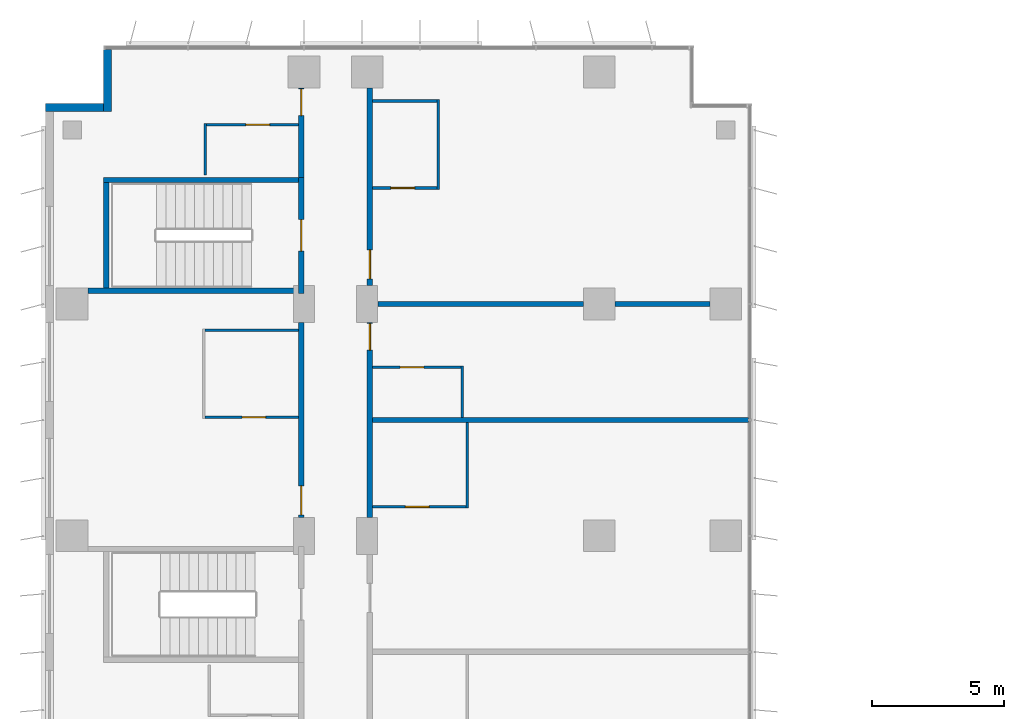
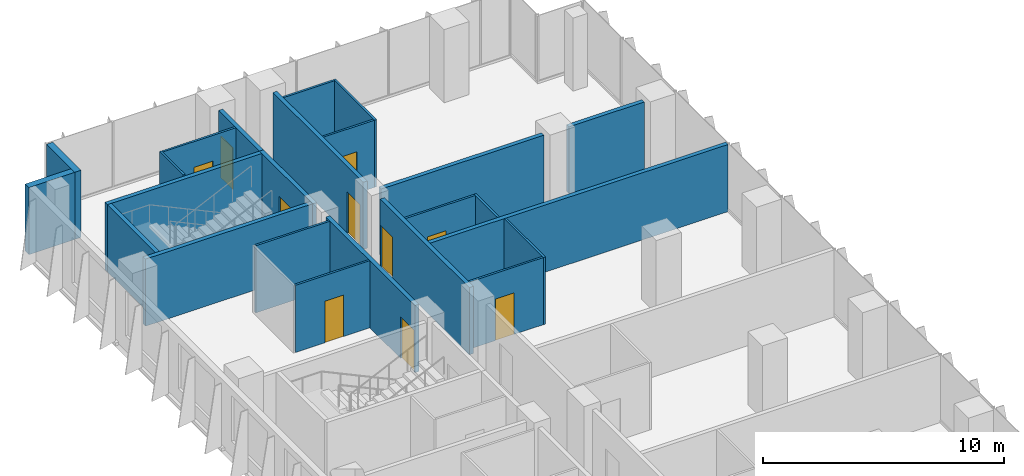
# One storey, part 21 of 27: 24 walls, 10 doors, 10 openings.
"""IFC4 building model written with IfcOpenShell, lengths in metres."""

from ifc_helpers import new_model, si_unit, direction, frame, frame_2d, origin, place, context, subcontext, project, spatial, rectangle, extrude, material, layer, layer_set, type_object, element, fill, save


model = new_model("IFC4")

# Units and contexts
model_context = context("Model", 3, precision=1e-05, world=origin(), true_north=direction((0.0, 1.0)))
body_context = subcontext(model_context, "Body", "Model", "MODEL_VIEW")
ifc_project = project(units=[si_unit("LENGTHUNIT", "METRE"), si_unit("AREAUNIT", "SQUARE_METRE"), si_unit("VOLUMEUNIT", "CUBIC_METRE"), si_unit("PLANEANGLEUNIT", "RADIAN"), si_unit("MASSUNIT", "GRAM", prefix="KILO")], contexts=[model_context])

# Site, building, storey
site_placement = place(None, origin())
site = spatial("IfcSite", under=ifc_project, at=site_placement, CompositionType="ELEMENT")
building_placement = place(site_placement, origin())
building = spatial("IfcBuilding", under=site, at=building_placement, Name="Kemantara Hotel Tower", CompositionType="ELEMENT")
storey_placement = place(building_placement, frame((0.0, 0.0, 83.39990234375)))
storey = spatial("IfcBuildingStorey", under=building, at=storey_placement, Name="L19", CompositionType="ELEMENT", Elevation=83.39990234375)

# Walls
ifc_material_1 = material(Name="Bronze anodised aluminium cladding on insulated steel stud wall", Category="steel")
ifc_layer_1 = layer(ifc_material_1, 0.300048828125)
ifc_layer_set_1 = layer_set([ifc_layer_1], Name="Bronze anodised aluminium cladding on insulated steel stud wall")
wall_type_1 = type_object("IfcWallType", Name="BRONZE METAL-CLAD EXTERNAL WALL 300", PredefinedType="STANDARD", material=ifc_layer_set_1)
wall_1_placement = place(storey_placement, frame((2.35009765625, 81.050048828125, 0.0), z_axis=(0.0, 0.0, 1.0), x_axis=(0.0, -1.0, 0.0)))
element("IfcWall", 1, at=wall_1_placement, inside=storey, type_object=wall_type_1, Name="EXTERNAL WALL L19 T2-R02", PredefinedType="STANDARD", context=body_context, shape_type="SweptSolid", body=[
    extrude(rectangle(XDim=2.35009765625, YDim=0.300048828125, at=frame_2d((1.175048828125, 0.0))), origin(), (0.0, 0.0, 1.0), 3.400146484375),
])
wall_2_placement = place(storey_placement, frame((2.199951171875, 78.85009765625, 0.0), z_axis=(0.0, 0.0, 1.0), x_axis=(-1.0, 0.0, 0.0)))
element("IfcWall", 2, at=wall_2_placement, inside=storey, type_object=wall_type_1, Name="EXTERNAL WALL L19 T2-R03", PredefinedType="STANDARD", context=body_context, shape_type="SweptSolid", body=[
    extrude(rectangle(XDim=2.199951171875, YDim=0.300048828125, at=frame_2d((1.10009765625, 0.0))), origin(), (0.0, 0.0, 1.0), 3.400146484375),
])

# Wall, opening, door
ifc_material_2 = material(Name="Gypsum board partition, steel studs and mineral wool, 200 mm", Category="steel")
ifc_layer_2 = layer(ifc_material_2, 0.199951171875)
ifc_layer_set_2 = layer_set([ifc_layer_2], Name="Gypsum board partition, steel studs and mineral wool, 200 mm")
wall_type_2 = type_object("IfcWallType", Name="CORRIDOR WALL 200", PredefinedType="PARTITIONING", material=ifc_layer_set_2)
wall_3_placement = place(storey_placement, frame((9.699951171875, 63.300048828125, 0.0), z_axis=(0.0, 0.0, 1.0), x_axis=(0.0, 1.0, 0.0)))
wall_3 = element("IfcWall", 3, at=wall_3_placement, inside=storey, type_object=wall_type_2, Name="CORRIDOR WALL 200 021", PredefinedType="PARTITIONING", context=body_context, shape_type="SweptSolid", body=[
    extrude(rectangle(XDim=7.39990234375, YDim=0.199951171875, at=frame_2d((3.699951171875, 0.0))), origin(), (0.0, 0.0, 1.0), 3.400146484375),
])
opening_1_placement = place(wall_3_placement, frame((0.099853515625, 0.0, 0.0)))
opening_1 = element("IfcOpeningElement", 4, at=opening_1_placement, cuts=wall_3, Name="Opening F07-029", PredefinedType="OPENING", context=body_context, shape_type="SweptSolid", body=[
    extrude(rectangle(XDim=1.10009765625, YDim=2.10009765625, at=frame_2d((0.550048828125, 1.050048828125))), frame((0.0, 0.10986328125, 0.0), z_axis=(0.0, -1.0, 0.0), x_axis=(1.0, 0.0, 0.0)), (0.0, 0.0, 1.0), 0.219970703125),
])
ifc_material_3 = material(Name="Hardwood veneer door leaf with steel frame", Category="steel")
door_type_1 = type_object("IfcDoorType", Name="SUITE ENTRANCE DOOR 1100 X 2100 FD30S", OperationType="NOTDEFINED", PredefinedType="DOOR", material=ifc_material_3)
door_1_placement = place(opening_1_placement, origin())
door_1 = element("IfcDoor", 5, at=door_1_placement, inside=storey, type_object=door_type_1, Name="SUITE ENTRANCE DOOR F07-029", OperationType="SINGLE_SWING_LEFT", OverallHeight=2.10009765625, OverallWidth=1.10009765625, PredefinedType="DOOR", context=body_context, shape_type="SweptSolid", body=[
    extrude(rectangle(XDim=1.10009765625, YDim=2.10009765625, at=frame_2d((0.550048828125, 1.050048828125))), frame((0.0, 0.02490234375, 0.0), z_axis=(0.0, -1.0, 0.0), x_axis=(1.0, 0.0, 0.0)), (0.0, 0.0, 1.0), 0.050048828125),
])
fill(opening_1, door_1)

wall_4_placement = place(storey_placement, frame((9.699951171875, 76.199951171875, 0.0), z_axis=(0.0, 0.0, 1.0), x_axis=(0.0, 1.0, 0.0)))
wall_4 = element("IfcWall", 6, at=wall_4_placement, inside=storey, type_object=wall_type_2, Name="CORRIDOR WALL 200 022", PredefinedType="PARTITIONING", context=body_context, shape_type="SweptSolid", body=[
    extrude(rectangle(XDim=3.39990234375, YDim=0.199951171875, at=frame_2d((1.699951171875, 0.0))), origin(), (0.0, 0.0, 1.0), 3.400146484375),
])
opening_2_placement = place(wall_4_placement, frame((2.35009765625, 0.0, 0.0)))
opening_2 = element("IfcOpeningElement", 7, at=opening_2_placement, cuts=wall_4, Name="Opening F07-031", PredefinedType="OPENING", context=body_context, shape_type="SweptSolid", body=[
    extrude(rectangle(XDim=1.0, YDim=2.10009765625, at=frame_2d((0.5, 1.050048828125))), frame((0.0, 0.10986328125, 0.0), z_axis=(0.0, -1.0, 0.0), x_axis=(1.0, 0.0, 0.0)), (0.0, 0.0, 1.0), 0.219970703125),
])
door_type_2 = type_object("IfcDoorType", Name="GUEST ROOM DOOR 1000 X 2100 FD30S", OperationType="NOTDEFINED", PredefinedType="DOOR", material=ifc_material_3)
door_2_placement = place(opening_2_placement, origin())
door_2 = element("IfcDoor", 8, at=door_2_placement, inside=storey, type_object=door_type_2, Name="GUEST ROOM DOOR F07-031", OperationType="SINGLE_SWING_RIGHT", OverallHeight=2.10009765625, OverallWidth=1.0, PredefinedType="DOOR", context=body_context, shape_type="SweptSolid", body=[
    extrude(rectangle(XDim=1.0, YDim=2.10009765625, at=frame_2d((0.5, 1.050048828125))), frame((0.0, 0.02490234375, 0.0), z_axis=(0.0, -1.0, 0.0), x_axis=(1.0, 0.0, 0.0)), (0.0, 0.0, 1.0), 0.050048828125),
])
fill(opening_2, door_2)

wall_5_placement = place(storey_placement, frame((12.300048828125, 70.699951171875, 0.0), z_axis=(0.0, 0.0, 1.0), x_axis=(0.0, -1.0, 0.0)))
wall_5 = element("IfcWall", 9, at=wall_5_placement, inside=storey, type_object=wall_type_2, Name="CORRIDOR WALL 200 036", PredefinedType="PARTITIONING", context=body_context, shape_type="SweptSolid", body=[
    extrude(rectangle(XDim=7.39990234375, YDim=0.199951171875, at=frame_2d((3.699951171875, 0.0))), origin(), (0.0, 0.0, 1.0), 3.400146484375),
])
opening_3_placement = place(wall_5_placement, frame((0.0498046875, 0.0, 0.0)))
opening_3 = element("IfcOpeningElement", 10, at=opening_3_placement, cuts=wall_5, Name="Opening F07-043", PredefinedType="OPENING", context=body_context, shape_type="SweptSolid", body=[
    extrude(rectangle(XDim=1.0, YDim=2.10009765625, at=frame_2d((0.5, 1.050048828125))), frame((0.0, 0.10986328125, 0.0), z_axis=(0.0, -1.0, 0.0), x_axis=(1.0, 0.0, 0.0)), (0.0, 0.0, 1.0), 0.219970703125),
])
door_3_placement = place(opening_3_placement, origin())
door_3 = element("IfcDoor", 11, at=door_3_placement, inside=storey, type_object=door_type_2, Name="GUEST ROOM DOOR F07-043", OperationType="SINGLE_SWING_LEFT", OverallHeight=2.10009765625, OverallWidth=1.0, PredefinedType="DOOR", context=body_context, shape_type="SweptSolid", body=[
    extrude(rectangle(XDim=1.0, YDim=2.10009765625, at=frame_2d((0.5, 1.050048828125))), frame((0.0, 0.02490234375, 0.0), z_axis=(0.0, -1.0, 0.0), x_axis=(1.0, 0.0, 0.0)), (0.0, 0.0, 1.0), 0.050048828125),
])
fill(opening_3, door_3)

wall_6_placement = place(storey_placement, frame((12.300048828125, 79.599853515625, 0.0), z_axis=(0.0, 0.0, 1.0), x_axis=(0.0, -1.0, 0.0)))
wall_6 = element("IfcWall", 12, at=wall_6_placement, inside=storey, type_object=wall_type_2, Name="CORRIDOR WALL 200 037", PredefinedType="PARTITIONING", context=body_context, shape_type="SweptSolid", body=[
    extrude(rectangle(XDim=7.499755859375, YDim=0.199951171875, at=frame_2d((3.75, 0.0))), origin(), (0.0, 0.0, 1.0), 3.400146484375),
])
opening_4_placement = place(wall_6_placement, frame((6.14990234375, 0.0, 0.0)))
opening_4 = element("IfcOpeningElement", 13, at=opening_4_placement, cuts=wall_6, Name="Opening F07-045", PredefinedType="OPENING", context=body_context, shape_type="SweptSolid", body=[
    extrude(rectangle(XDim=1.10009765625, YDim=2.10009765625, at=frame_2d((0.550048828125, 1.050048828125))), frame((0.0, 0.10986328125, 0.0), z_axis=(0.0, -1.0, 0.0), x_axis=(1.0, 0.0, 0.0)), (0.0, 0.0, 1.0), 0.219970703125),
])
door_4_placement = place(opening_4_placement, origin())
door_4 = element("IfcDoor", 14, at=door_4_placement, inside=storey, type_object=door_type_1, Name="SUITE ENTRANCE DOOR F07-045", OperationType="SINGLE_SWING_RIGHT", OverallHeight=2.10009765625, OverallWidth=1.10009765625, PredefinedType="DOOR", context=body_context, shape_type="SweptSolid", body=[
    extrude(rectangle(XDim=1.10009765625, YDim=2.10009765625, at=frame_2d((0.550048828125, 1.050048828125))), frame((0.0, 0.02490234375, 0.0), z_axis=(0.0, -1.0, 0.0), x_axis=(1.0, 0.0, 0.0)), (0.0, 0.0, 1.0), 0.050048828125),
])
fill(opening_4, door_4)

ifc_material_4 = material(Name="Concrete fc 40 MPa", Category="concrete")
ifc_layer_3 = layer(ifc_material_4, 0.199951171875)
ifc_layer_set_3 = layer_set([ifc_layer_3], Name="Concrete fc 40 MPa")
wall_type_3 = type_object("IfcWallType", Name="Concrete stair wall 200 mm", PredefinedType="SHEAR", material=ifc_layer_set_3)
wall_7_placement = place(storey_placement, frame((9.699951171875, 71.800048828125, 0.0), z_axis=(0.0, 0.0, 1.0), x_axis=(0.0, 1.0, 0.0)))
wall_7 = element("IfcWall", 15, at=wall_7_placement, inside=storey, type_object=wall_type_3, Name="Stair ST6 enclosure wall with door", PredefinedType="SHEAR", context=body_context, shape_type="SweptSolid", body=[
    extrude(rectangle(XDim=4.39990234375, YDim=0.199951171875, at=frame_2d((2.199951171875, 0.0))), origin(), (0.0, 0.0, 1.0), 3.400146484375),
])
opening_5_placement = place(wall_7_placement, frame((1.60009765625, 0.0, 0.0)))
opening_5 = element("IfcOpeningElement", 16, at=opening_5_placement, cuts=wall_7, Name="Opening ST6-C", PredefinedType="OPENING", context=body_context, shape_type="SweptSolid", body=[
    extrude(rectangle(XDim=1.199951171875, YDim=2.10009765625, at=frame_2d((0.60009765625, 1.050048828125))), frame((0.0, 0.10986328125, 0.0), z_axis=(0.0, -1.0, 0.0), x_axis=(1.0, 0.0, 0.0)), (0.0, 0.0, 1.0), 0.219970703125),
])
ifc_material_5 = material(Name="Steel fire door", Category="steel")
door_type_3 = type_object("IfcDoorType", Name="Fire door FD90 1200 x 2100", OperationType="NOTDEFINED", PredefinedType="DOOR", material=ifc_material_5)
door_5_placement = place(opening_5_placement, origin())
door_5 = element("IfcDoor", 17, at=door_5_placement, inside=storey, type_object=door_type_3, Name="Stair ST6 door", OperationType="SINGLE_SWING_RIGHT", OverallHeight=2.10009765625, OverallWidth=1.199951171875, PredefinedType="DOOR", context=body_context, shape_type="SweptSolid", body=[
    extrude(rectangle(XDim=1.199951171875, YDim=2.10009765625, at=frame_2d((0.60009765625, 1.050048828125))), frame((0.0, 0.02490234375, 0.0), z_axis=(0.0, -1.0, 0.0), x_axis=(1.0, 0.0, 0.0)), (0.0, 0.0, 1.0), 0.050048828125),
])
fill(opening_5, door_5)

# Walls
wall_8_placement = place(storey_placement, frame((2.199951171875, 76.10009765625, 0.0), z_axis=(0.0, 0.0, 1.0), x_axis=(1.0, 0.0, 0.0)))
element("IfcWall", 18, at=wall_8_placement, inside=storey, type_object=wall_type_3, Name="Stair ST6 enclosure wall N", PredefinedType="SHEAR", context=body_context, shape_type="SweptSolid", body=[
    extrude(rectangle(XDim=7.400146484375, YDim=0.199951171875, at=frame_2d((3.7001953125, 0.0))), origin(), (0.0, 0.0, 1.0), 3.400146484375),
])
wall_9_placement = place(storey_placement, frame((1.60009765625, 71.89990234375, 0.0), z_axis=(0.0, 0.0, 1.0), x_axis=(1.0, 0.0, 0.0)))
element("IfcWall", 19, at=wall_9_placement, inside=storey, type_object=wall_type_3, Name="Stair ST6 enclosure wall S", PredefinedType="SHEAR", context=body_context, shape_type="SweptSolid", body=[
    extrude(rectangle(XDim=8.0, YDim=0.199951171875, at=frame_2d((4.0, 0.0))), origin(), (0.0, 0.0, 1.0), 3.400146484375),
])
wall_10_placement = place(storey_placement, frame((2.300048828125, 72.0, 0.0), z_axis=(0.0, 0.0, 1.0), x_axis=(0.0, 1.0, 0.0)))
element("IfcWall", 20, at=wall_10_placement, inside=storey, type_object=wall_type_3, Name="Stair ST6 enclosure wall W", PredefinedType="SHEAR", context=body_context, shape_type="SweptSolid", body=[
    extrude(rectangle(XDim=4.0, YDim=0.199951171875, at=frame_2d((2.0, 0.0))), origin(), (0.0, 0.0, 1.0), 3.400146484375),
])
ifc_layer_4 = layer(ifc_material_2, 0.199951171875)
ifc_layer_set_4 = layer_set([ifc_layer_4], Name="Gypsum board partition, steel studs and mineral wool, 200 mm")
wall_type_4 = type_object("IfcWallType", Name="GUEST ROOM PARTY WALL 200", PredefinedType="PARTITIONING", material=ifc_layer_set_4)
wall_11_placement = place(storey_placement, frame((12.39990234375, 67.0, 0.0), z_axis=(0.0, 0.0, 1.0), x_axis=(1.0, 0.0, 0.0)))
element("IfcWall", 21, at=wall_11_placement, inside=storey, type_object=wall_type_4, Name="GUEST ROOM PARTY WALL 200 042", PredefinedType="PARTITIONING", context=body_context, shape_type="SweptSolid", body=[
    extrude(rectangle(XDim=14.27001953125, YDim=0.199951171875, at=frame_2d((7.135009765625, 0.0))), origin(), (0.0, 0.0, 1.0), 3.400146484375),
])
wall_12_placement = place(storey_placement, frame((12.60009765625, 71.39990234375, 0.0), z_axis=(0.0, 0.0, 1.0), x_axis=(1.0, 0.0, 0.0)))
element("IfcWall", 22, at=wall_12_placement, inside=storey, type_object=wall_type_4, Name="GUEST ROOM PARTY WALL 200 043", PredefinedType="PARTITIONING", context=body_context, shape_type="SweptSolid", body=[
    extrude(rectangle(XDim=7.7998046875, YDim=0.199951171875, at=frame_2d((3.89990234375, 0.0))), origin(), (0.0, 0.0, 1.0), 3.400146484375),
])
wall_13_placement = place(storey_placement, frame((21.60009765625, 71.39990234375, 0.0), z_axis=(0.0, 0.0, 1.0), x_axis=(1.0, 0.0, 0.0)))
element("IfcWall", 23, at=wall_13_placement, inside=storey, type_object=wall_type_4, Name="GUEST ROOM PARTY WALL 200 044", PredefinedType="PARTITIONING", context=body_context, shape_type="SweptSolid", body=[
    extrude(rectangle(XDim=3.599853515625, YDim=0.199951171875, at=frame_2d((1.7998046875, 0.0))), origin(), (0.0, 0.0, 1.0), 3.400146484375),
])
ifc_material_6 = material(Name="Gypsum board partition on steel studs, 100 mm", Category="steel")
ifc_layer_5 = layer(ifc_material_6, 0.10009765625)
ifc_layer_set_5 = layer_set([ifc_layer_5], Name="Gypsum board partition on steel studs, 100 mm")
wall_type_5 = type_object("IfcWallType", Name="ROOM PARTITION 100", PredefinedType="PARTITIONING", material=ifc_layer_set_5)
wall_14_placement = place(storey_placement, frame((6.050048828125, 76.300048828125, 0.0), z_axis=(0.0, 0.0, 1.0), x_axis=(0.0, 1.0, 0.0)))
element("IfcWall", 24, at=wall_14_placement, inside=storey, type_object=wall_type_5, Name="ROOM PARTITION 100 061", PredefinedType="PARTITIONING", context=body_context, shape_type="SweptSolid", body=[
    extrude(rectangle(XDim=1.949951171875, YDim=0.10009765625, at=frame_2d((0.97509765625, 0.0))), origin(), (0.0, 0.0, 1.0), 3.400146484375),
])

# Wall, opening, door
wall_15_placement = place(storey_placement, frame((6.050048828125, 67.10009765625, 0.0), z_axis=(0.0, 0.0, 1.0), x_axis=(1.0, 0.0, 0.0)))
wall_15 = element("IfcWall", 25, at=wall_15_placement, inside=storey, type_object=wall_type_5, Name="ROOM PARTITION 100 080", PredefinedType="PARTITIONING", context=body_context, shape_type="SweptSolid", body=[
    extrude(rectangle(XDim=3.550048828125, YDim=0.10009765625, at=frame_2d((1.77490234375, 0.0))), origin(), (0.0, 0.0, 1.0), 3.400146484375),
])
opening_6_placement = place(wall_15_placement, frame((1.39990234375, 0.0, 0.0)))
opening_6 = element("IfcOpeningElement", 26, at=opening_6_placement, cuts=wall_15, Name="Opening F07-030", PredefinedType="OPENING", context=body_context, shape_type="SweptSolid", body=[
    extrude(rectangle(XDim=0.89990234375, YDim=2.10009765625, at=frame_2d((0.449951171875, 1.050048828125))), frame((0.0, 0.06005859375, 0.0), z_axis=(0.0, -1.0, 0.0), x_axis=(1.0, 0.0, 0.0)), (0.0, 0.0, 1.0), 0.1201171875),
])
door_type_4 = type_object("IfcDoorType", Name="BATHROOM DOOR 900 X 2100", OperationType="NOTDEFINED", PredefinedType="DOOR", material=ifc_material_3)
door_6_placement = place(opening_6_placement, origin())
door_6 = element("IfcDoor", 27, at=door_6_placement, inside=storey, type_object=door_type_4, Name="BATHROOM DOOR F07-030", OperationType="SINGLE_SWING_RIGHT", OverallHeight=2.10009765625, OverallWidth=0.89990234375, PredefinedType="DOOR", context=body_context, shape_type="SweptSolid", body=[
    extrude(rectangle(XDim=0.89990234375, YDim=2.10009765625, at=frame_2d((0.449951171875, 1.050048828125))), frame((0.0, 0.02490234375, 0.0), z_axis=(0.0, -1.0, 0.0), x_axis=(1.0, 0.0, 0.0)), (0.0, 0.0, 1.0), 0.050048828125),
])
fill(opening_6, door_6)

# Wall
wall_16_placement = place(storey_placement, frame((6.050048828125, 70.39990234375, 0.0), z_axis=(0.0, 0.0, 1.0), x_axis=(1.0, 0.0, 0.0)))
element("IfcWall", 28, at=wall_16_placement, inside=storey, type_object=wall_type_5, Name="ROOM PARTITION 100 081", PredefinedType="PARTITIONING", context=body_context, shape_type="SweptSolid", body=[
    extrude(rectangle(XDim=3.550048828125, YDim=0.10009765625, at=frame_2d((1.77490234375, 0.0))), origin(), (0.0, 0.0, 1.0), 3.400146484375),
])

# Wall, opening, door
wall_17_placement = place(storey_placement, frame((9.60009765625, 78.199951171875, 0.0), z_axis=(0.0, 0.0, 1.0), x_axis=(-1.0, 0.0, 0.0)))
wall_17 = element("IfcWall", 29, at=wall_17_placement, inside=storey, type_object=wall_type_5, Name="ROOM PARTITION 100 082", PredefinedType="PARTITIONING", context=body_context, shape_type="SweptSolid", body=[
    extrude(rectangle(XDim=3.5, YDim=0.10009765625, at=frame_2d((1.75, 0.0))), origin(), (0.0, 0.0, 1.0), 3.400146484375),
])
opening_7_placement = place(wall_17_placement, frame((1.10009765625, 0.0, 0.0)))
opening_7 = element("IfcOpeningElement", 30, at=opening_7_placement, cuts=wall_17, Name="Opening F07-032", PredefinedType="OPENING", context=body_context, shape_type="SweptSolid", body=[
    extrude(rectangle(XDim=0.89990234375, YDim=2.10009765625, at=frame_2d((0.449951171875, 1.050048828125))), frame((0.0, 0.06005859375, 0.0), z_axis=(0.0, -1.0, 0.0), x_axis=(1.0, 0.0, 0.0)), (0.0, 0.0, 1.0), 0.1201171875),
])
door_7_placement = place(opening_7_placement, origin())
door_7 = element("IfcDoor", 31, at=door_7_placement, inside=storey, type_object=door_type_4, Name="BATHROOM DOOR F07-032", OperationType="SINGLE_SWING_LEFT", OverallHeight=2.10009765625, OverallWidth=0.89990234375, PredefinedType="DOOR", context=body_context, shape_type="SweptSolid", body=[
    extrude(rectangle(XDim=0.89990234375, YDim=2.10009765625, at=frame_2d((0.449951171875, 1.050048828125))), frame((0.0, 0.02490234375, 0.0), z_axis=(0.0, -1.0, 0.0), x_axis=(1.0, 0.0, 0.0)), (0.0, 0.0, 1.0), 0.050048828125),
])
fill(opening_7, door_7)

# Wall
wall_18_placement = place(storey_placement, frame((16.0, 63.64990234375, 0.0), z_axis=(0.0, 0.0, 1.0), x_axis=(0.0, 1.0, 0.0)))
element("IfcWall", 32, at=wall_18_placement, inside=storey, type_object=wall_type_5, Name="ROOM PARTITION 100 087", PredefinedType="PARTITIONING", context=body_context, shape_type="SweptSolid", body=[
    extrude(rectangle(XDim=3.25, YDim=0.10009765625, at=frame_2d((1.625, 0.0))), origin(), (0.0, 0.0, 1.0), 3.400146484375),
])

# Wall, opening, door
wall_19_placement = place(storey_placement, frame((12.39990234375, 63.699951171875, 0.0), z_axis=(0.0, 0.0, 1.0), x_axis=(1.0, 0.0, 0.0)))
wall_19 = element("IfcWall", 33, at=wall_19_placement, inside=storey, type_object=wall_type_5, Name="ROOM PARTITION 100 090", PredefinedType="PARTITIONING", context=body_context, shape_type="SweptSolid", body=[
    extrude(rectangle(XDim=3.550048828125, YDim=0.10009765625, at=frame_2d((1.77490234375, 0.0))), origin(), (0.0, 0.0, 1.0), 3.400146484375),
])
opening_8_placement = place(wall_19_placement, frame((1.25, 0.0, 0.0)))
opening_8 = element("IfcOpeningElement", 34, at=opening_8_placement, cuts=wall_19, Name="Opening F07-042", PredefinedType="OPENING", context=body_context, shape_type="SweptSolid", body=[
    extrude(rectangle(XDim=0.89990234375, YDim=2.10009765625, at=frame_2d((0.449951171875, 1.050048828125))), frame((0.0, 0.06005859375, 0.0), z_axis=(0.0, -1.0, 0.0), x_axis=(1.0, 0.0, 0.0)), (0.0, 0.0, 1.0), 0.1201171875),
])
door_8_placement = place(opening_8_placement, origin())
door_8 = element("IfcDoor", 35, at=door_8_placement, inside=storey, type_object=door_type_4, Name="BATHROOM DOOR F07-042", OperationType="SINGLE_SWING_LEFT", OverallHeight=2.10009765625, OverallWidth=0.89990234375, PredefinedType="DOOR", context=body_context, shape_type="SweptSolid", body=[
    extrude(rectangle(XDim=0.89990234375, YDim=2.10009765625, at=frame_2d((0.449951171875, 1.050048828125))), frame((0.0, 0.02490234375, 0.0), z_axis=(0.0, -1.0, 0.0), x_axis=(1.0, 0.0, 0.0)), (0.0, 0.0, 1.0), 0.050048828125),
])
fill(opening_8, door_8)

# Wall
wall_20_placement = place(storey_placement, frame((15.800048828125, 67.10009765625, 0.0), z_axis=(0.0, 0.0, 1.0), x_axis=(0.0, 1.0, 0.0)))
element("IfcWall", 36, at=wall_20_placement, inside=storey, type_object=wall_type_5, Name="ROOM PARTITION 100 091", PredefinedType="PARTITIONING", context=body_context, shape_type="SweptSolid", body=[
    extrude(rectangle(XDim=1.949951171875, YDim=0.10009765625, at=frame_2d((0.97509765625, 0.0))), origin(), (0.0, 0.0, 1.0), 3.400146484375),
])

# Wall, opening, door
wall_21_placement = place(storey_placement, frame((15.75, 69.0, 0.0), z_axis=(0.0, 0.0, 1.0), x_axis=(-1.0, 0.0, 0.0)))
wall_21 = element("IfcWall", 37, at=wall_21_placement, inside=storey, type_object=wall_type_5, Name="ROOM PARTITION 100 092", PredefinedType="PARTITIONING", context=body_context, shape_type="SweptSolid", body=[
    extrude(rectangle(XDim=3.35009765625, YDim=0.10009765625, at=frame_2d((1.675048828125, 0.0))), origin(), (0.0, 0.0, 1.0), 3.400146484375),
])
opening_9_placement = place(wall_21_placement, frame((1.39990234375, 0.0, 0.0)))
opening_9 = element("IfcOpeningElement", 38, at=opening_9_placement, cuts=wall_21, Name="Opening F07-044", PredefinedType="OPENING", context=body_context, shape_type="SweptSolid", body=[
    extrude(rectangle(XDim=0.89990234375, YDim=2.10009765625, at=frame_2d((0.449951171875, 1.050048828125))), frame((0.0, 0.06005859375, 0.0), z_axis=(0.0, -1.0, 0.0), x_axis=(1.0, 0.0, 0.0)), (0.0, 0.0, 1.0), 0.1201171875),
])
door_9_placement = place(opening_9_placement, origin())
door_9 = element("IfcDoor", 39, at=door_9_placement, inside=storey, type_object=door_type_4, Name="BATHROOM DOOR F07-044", OperationType="SINGLE_SWING_RIGHT", OverallHeight=2.10009765625, OverallWidth=0.89990234375, PredefinedType="DOOR", context=body_context, shape_type="SweptSolid", body=[
    extrude(rectangle(XDim=0.89990234375, YDim=2.10009765625, at=frame_2d((0.449951171875, 1.050048828125))), frame((0.0, 0.02490234375, 0.0), z_axis=(0.0, -1.0, 0.0), x_axis=(1.0, 0.0, 0.0)), (0.0, 0.0, 1.0), 0.050048828125),
])
fill(opening_9, door_9)

# Wall
wall_22_placement = place(storey_placement, frame((14.89990234375, 75.75, 0.0), z_axis=(0.0, 0.0, 1.0), x_axis=(0.0, 1.0, 0.0)))
element("IfcWall", 40, at=wall_22_placement, inside=storey, type_object=wall_type_5, Name="ROOM PARTITION 100 093", PredefinedType="PARTITIONING", context=body_context, shape_type="SweptSolid", body=[
    extrude(rectangle(XDim=3.39990234375, YDim=0.10009765625, at=frame_2d((1.699951171875, 0.0))), origin(), (0.0, 0.0, 1.0), 3.400146484375),
])

# Wall, opening, door
wall_23_placement = place(storey_placement, frame((12.39990234375, 75.800048828125, 0.0), z_axis=(0.0, 0.0, 1.0), x_axis=(1.0, 0.0, 0.0)))
wall_23 = element("IfcWall", 41, at=wall_23_placement, inside=storey, type_object=wall_type_5, Name="ROOM PARTITION 100 094", PredefinedType="PARTITIONING", context=body_context, shape_type="SweptSolid", body=[
    extrude(rectangle(XDim=2.4501953125, YDim=0.10009765625, at=frame_2d((1.22509765625, 0.0))), origin(), (0.0, 0.0, 1.0), 3.400146484375),
])
opening_10_placement = place(wall_23_placement, frame((0.699951171875, 0.0, 0.0)))
opening_10 = element("IfcOpeningElement", 42, at=opening_10_placement, cuts=wall_23, Name="Opening F07-046", PredefinedType="OPENING", context=body_context, shape_type="SweptSolid", body=[
    extrude(rectangle(XDim=0.89990234375, YDim=2.10009765625, at=frame_2d((0.449951171875, 1.050048828125))), frame((0.0, 0.06005859375, 0.0), z_axis=(0.0, -1.0, 0.0), x_axis=(1.0, 0.0, 0.0)), (0.0, 0.0, 1.0), 0.1201171875),
])
door_10_placement = place(opening_10_placement, origin())
door_10 = element("IfcDoor", 43, at=door_10_placement, inside=storey, type_object=door_type_4, Name="BATHROOM DOOR F07-046", OperationType="SINGLE_SWING_LEFT", OverallHeight=2.10009765625, OverallWidth=0.89990234375, PredefinedType="DOOR", context=body_context, shape_type="SweptSolid", body=[
    extrude(rectangle(XDim=0.89990234375, YDim=2.10009765625, at=frame_2d((0.449951171875, 1.050048828125))), frame((0.0, 0.02490234375, 0.0), z_axis=(0.0, -1.0, 0.0), x_axis=(1.0, 0.0, 0.0)), (0.0, 0.0, 1.0), 0.050048828125),
])
fill(opening_10, door_10)

# Wall
wall_24_placement = place(storey_placement, frame((12.39990234375, 79.10009765625, 0.0), z_axis=(0.0, 0.0, 1.0), x_axis=(1.0, 0.0, 0.0)))
element("IfcWall", 44, at=wall_24_placement, inside=storey, type_object=wall_type_5, Name="ROOM PARTITION 100 095", PredefinedType="PARTITIONING", context=body_context, shape_type="SweptSolid", body=[
    extrude(rectangle(XDim=2.4501953125, YDim=0.10009765625, at=frame_2d((1.22509765625, 0.0))), origin(), (0.0, 0.0, 1.0), 3.400146484375),
])

save(model, "model.ifc")
